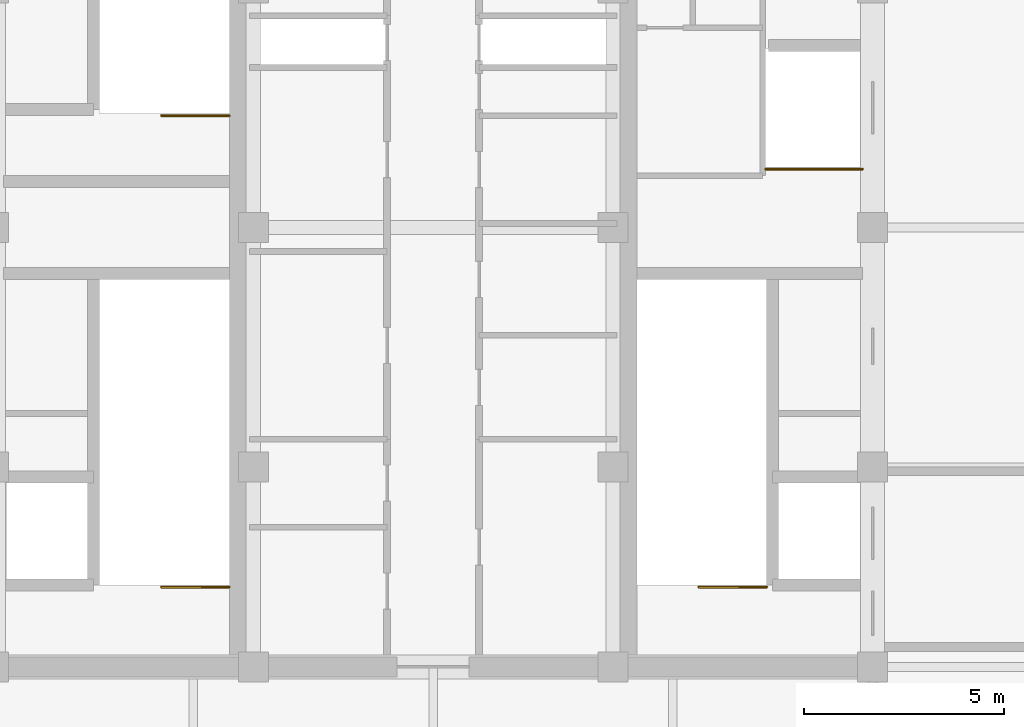
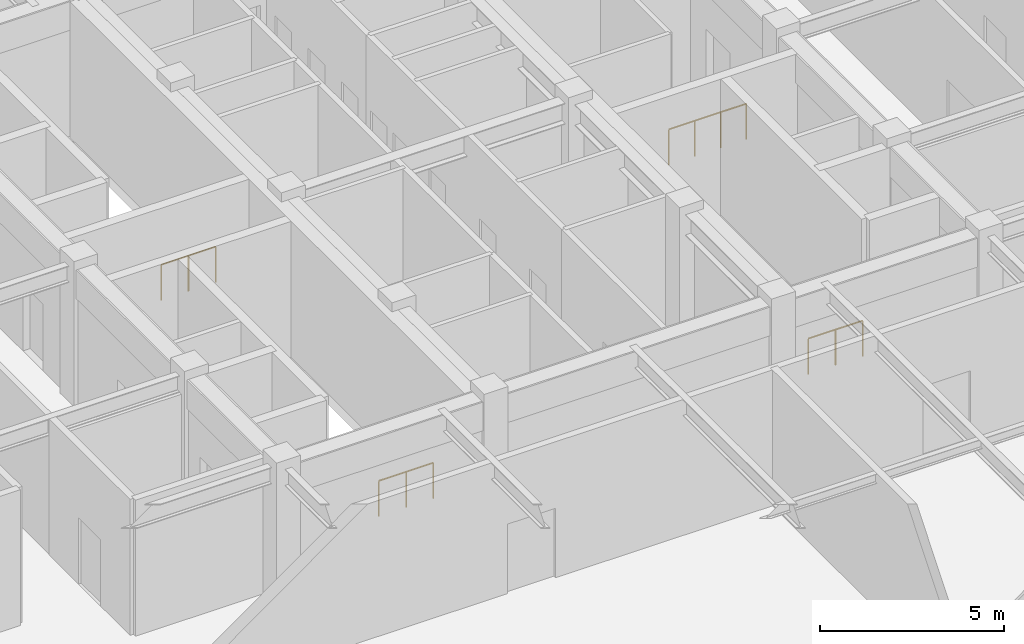
# One storey, part 27 of 27: 4 railings.
"""IFC4 building model written with IfcOpenShell, lengths in metres."""

from ifc_helpers import new_model, si_unit, direction, frame, origin, origin_2d, place, context, subcontext, project, spatial, circle, extrude, source, transform, mapped, material, type_object, element, save


model = new_model("IFC4")

# Units and contexts
model_context = context("Model", 3, precision=1e-05, world=origin(), true_north=direction((0.0, 1.0)))
body_context = subcontext(model_context, "Body", "Model", "MODEL_VIEW")
ifc_project = project(units=[si_unit("LENGTHUNIT", "METRE"), si_unit("AREAUNIT", "SQUARE_METRE"), si_unit("VOLUMEUNIT", "CUBIC_METRE"), si_unit("PLANEANGLEUNIT", "RADIAN"), si_unit("MASSUNIT", "GRAM", prefix="KILO")], contexts=[model_context])

# Site, building, storey
site_placement = place(None, origin())
site = spatial("IfcSite", under=ifc_project, at=site_placement, CompositionType="ELEMENT")
building_placement = place(site_placement, origin())
building = spatial("IfcBuilding", under=site, at=building_placement, Name="Khorayat Bourse Tower", CompositionType="ELEMENT")
storey_placement = place(building_placement, frame((0.0, 0.0, 399.5)))
storey = spatial("IfcBuildingStorey", under=building, at=storey_placement, Name="L94", CompositionType="ELEMENT", Elevation=399.5)

# Railings
ifc_material = material(Name="Powder-coated steel balustrade", Category="steel")
railing_type = type_object("IfcRailingType", Name="RLG-GUARD-1200", PredefinedType="GUARDRAIL", material=ifc_material)
shared_shape_1 = source(origin(), body_context, "Body", "SweptSolid", [
    extrude(circle(Radius=0.02392578125, at=origin_2d()), frame((0.0, 0.0, 1.17578125), z_axis=(-1.0, 0.0, 0.0), x_axis=(0.0, -1.0, 0.0)), (0.0, 0.0, 1.0), 1.699951171875),
    extrude(circle(Radius=0.02099609375, at=origin_2d()), origin(), (0.0, 0.0, 1.0), 1.15185546875),
    extrude(circle(Radius=0.02099609375, at=origin_2d()), frame((-0.85009765625, 0.0, 0.0)), (0.0, 0.0, 1.0), 1.15185546875),
    extrude(circle(Radius=0.02099609375, at=origin_2d()), frame((-1.699951171875, 0.0, 0.0)), (0.0, 0.0, 1.0), 1.15185546875),
])
for number, where, name in (
    (1, (-5.10009765625, -9.0, 0.0), "L94 ST-1 top well guard 1"),
    (2, (-5.10009765625, 2.800048828125, 0.0), "L94 ST-2 top well guard 1"),
):
    element("IfcRailing", number, at=place(storey_placement, frame(where)), inside=storey, type_object=railing_type, Name=name, PredefinedType="GUARDRAIL", context=body_context, shape_type="MappedRepresentation", body=[
        mapped(shared_shape_1, transform((0.0, 0.0, 0.0), scale=1.0)),
    ])
shared_shape_2 = source(origin(), body_context, "Body", "SweptSolid", [
    extrude(circle(Radius=0.02392578125, at=origin_2d()), frame((0.0, 0.0, 1.17578125), z_axis=(-1.0, 0.0, 0.0), x_axis=(0.0, -1.0, 0.0)), (0.0, 0.0, 1.0), 1.7001953125),
    extrude(circle(Radius=0.02099609375, at=origin_2d()), origin(), (0.0, 0.0, 1.0), 1.15185546875),
    extrude(circle(Radius=0.02099609375, at=origin_2d()), frame((-0.85009765625, 0.0, 0.0)), (0.0, 0.0, 1.0), 1.15185546875),
    extrude(circle(Radius=0.02099609375, at=origin_2d()), frame((-1.7001953125, 0.0, 0.0)), (0.0, 0.0, 1.0), 1.15185546875),
])
railing_1_placement = place(storey_placement, frame((8.35009765625, -9.0, 0.0)))
element("IfcRailing", 3, at=railing_1_placement, inside=storey, type_object=railing_type, Name="L94 ST-3 top well guard 1", PredefinedType="GUARDRAIL", context=body_context, shape_type="MappedRepresentation", body=[
    mapped(shared_shape_2, transform((0.0, 0.0, 0.0), scale=1.0)),
])
shared_shape_3 = source(origin(), body_context, "Body", "SweptSolid", [
    extrude(circle(Radius=0.02392578125, at=origin_2d()), frame((0.0, 0.0, 1.17578125), z_axis=(1.0, 0.0, 0.0), x_axis=(0.0, 1.0, 0.0)), (0.0, 0.0, 1.0), 2.429931640625),
    extrude(circle(Radius=0.02099609375, at=origin_2d()), origin(), (0.0, 0.0, 1.0), 1.15185546875),
    extrude(circle(Radius=0.02099609375, at=origin_2d()), frame((0.81005859375, 0.0, 0.0)), (0.0, 0.0, 1.0), 1.15185546875),
    extrude(circle(Radius=0.02099609375, at=origin_2d()), frame((1.619873046875, 0.0, 0.0)), (0.0, 0.0, 1.0), 1.15185546875),
    extrude(circle(Radius=0.02099609375, at=origin_2d()), frame((2.429931640625, 0.0, 0.0)), (0.0, 0.0, 1.0), 1.15185546875),
])
railing_2_placement = place(storey_placement, frame((8.320068359375, 1.4599609375, 0.0)))
element("IfcRailing", 4, at=railing_2_placement, inside=storey, type_object=railing_type, Name="L94 Goods Shaft Opening Guardrail", PredefinedType="GUARDRAIL", context=body_context, shape_type="MappedRepresentation", body=[
    mapped(shared_shape_3, transform((0.0, 0.0, 0.0), scale=1.0)),
])

save(model, "model.ifc")
